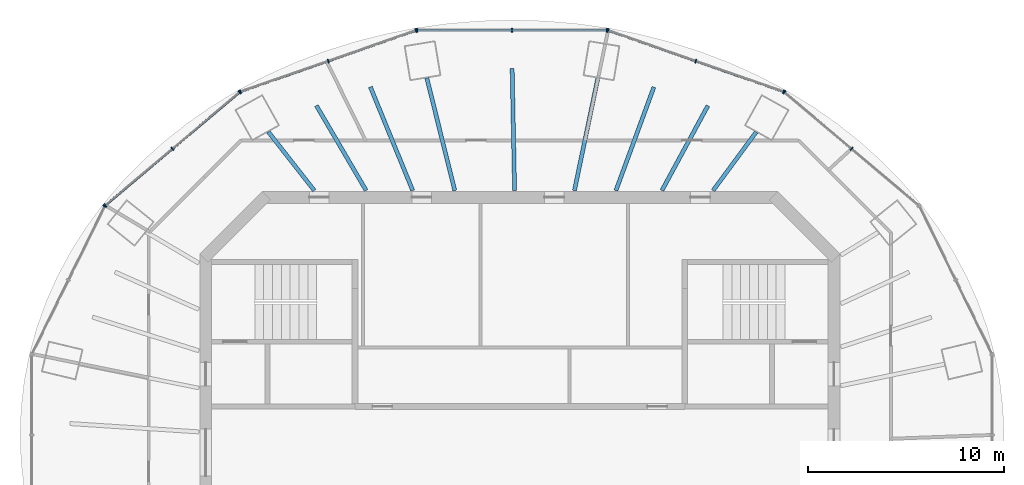
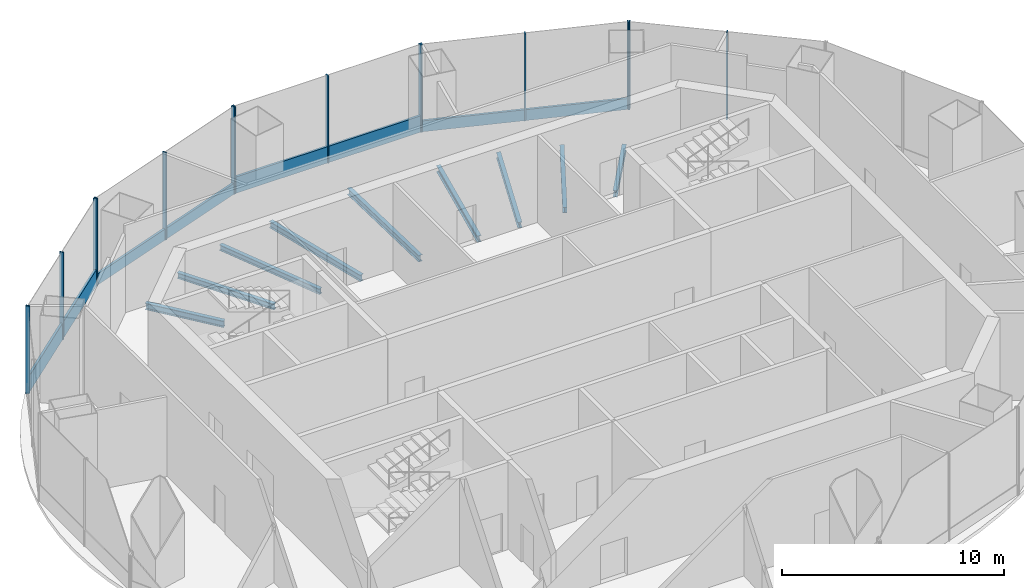
# One storey, part 5 of 12: 19 members, 9 beams, 6 elements without a shape of their own.
"""IFC4 building model written with IfcOpenShell, lengths in metres."""

from ifc_helpers import new_model, si_unit, direction, frame, origin, origin_2d, place, context, subcontext, project, spatial, rectangle, i_section, extrude, material, material_profile, profile_set, type_object, element, aggregate, save


model = new_model("IFC4")

# Units and contexts
model_context = context("Model", 3, precision=1e-05, world=origin(), true_north=direction((0.0, 1.0)))
body_context = subcontext(model_context, "Body", "Model", "MODEL_VIEW")
ifc_project = project(units=[si_unit("LENGTHUNIT", "METRE"), si_unit("AREAUNIT", "SQUARE_METRE"), si_unit("VOLUMEUNIT", "CUBIC_METRE"), si_unit("PLANEANGLEUNIT", "RADIAN"), si_unit("MASSUNIT", "GRAM", prefix="KILO")], contexts=[model_context])

# Site, building, storey
site_placement = place(None, origin())
site = spatial("IfcSite", under=ifc_project, at=site_placement, CompositionType="ELEMENT")
building_placement = place(site_placement, origin())
building = spatial("IfcBuilding", under=site, at=building_placement, Name="Marenthal Gate Tower", CompositionType="ELEMENT")
storey_placement = place(building_placement, frame((0.0, 0.0, 413.550048828125)))
storey = spatial("IfcBuildingStorey", under=building, at=storey_placement, Name="L93", CompositionType="ELEMENT", Elevation=413.550048828125)

# Curtain wall, members
ifc_material_1 = material(Name="Aluminium and glass", Category="aluminium")
curtain_wall_type_1 = type_object("IfcCurtainWallType", Name="Curtain wall crown clad", PredefinedType="NOTDEFINED", material=ifc_material_1)
curtain_wall_1_placement = place(storey_placement, origin())
curtain_wall_1 = element("IfcCurtainWall", 1, at=curtain_wall_1_placement, inside=storey, type_object=curtain_wall_type_1, Name="Curtain wall L93 bay 3", PredefinedType="NOTDEFINED")
ifc_material_2 = material(Name="Aluminium", Category="aluminium")
ifc_material_profile_1 = material_profile(ifc_material_2, rectangle(XDim=0.199951171875, YDim=0.06005859375, at=origin_2d()), Name="60x200 aluminium mullion")
ifc_profile_set_1 = profile_set([ifc_material_profile_1], Name="Aluminium")
member_type_1 = type_object("IfcMemberType", Name="Mullion 60x200 crown clad", PredefinedType="MULLION", material=ifc_profile_set_1)
member_1_placement = place(storey_placement, frame((13.426513671875, 18.38330078125, 0.0), z_axis=(0.0, 0.0, 1.0), x_axis=(-0.329558759622, -0.944135066585, 0.0)))
member_1 = element("IfcMember", 2, at=member_1_placement, type_object=member_type_1, Name="Mullion L93 bay 3.1", PredefinedType="MULLION", context=body_context, shape_type="SweptSolid", body=[
    extrude(rectangle(XDim=0.199951171875, YDim=0.06005859375, at=origin_2d()), origin(), (0.0, 0.0, 1.0), 4.800048828125),
])
member_2_placement = place(storey_placement, frame((8.9599609375, 19.9423828125, 0.0), z_axis=(0.0, 0.0, 1.0), x_axis=(-0.329558759622, -0.944135066585, 0.0)))
member_2 = element("IfcMember", 3, at=member_2_placement, type_object=member_type_1, Name="Mullion L93 bay 3.2", PredefinedType="MULLION", context=body_context, shape_type="SweptSolid", body=[
    extrude(rectangle(XDim=0.199951171875, YDim=0.06005859375, at=origin_2d()), origin(), (0.0, 0.0, 1.0), 4.800048828125),
])
member_3_placement = place(storey_placement, frame((4.49365234375, 21.501220703125, 0.0), z_axis=(0.0, 0.0, 1.0), x_axis=(-0.329558759622, -0.944135066585, 0.0)))
member_3 = element("IfcMember", 4, at=member_3_placement, type_object=member_type_1, Name="Mullion L93 bay 3.3", PredefinedType="MULLION", context=body_context, shape_type="SweptSolid", body=[
    extrude(rectangle(XDim=0.199951171875, YDim=0.06005859375, at=origin_2d()), origin(), (0.0, 0.0, 1.0), 4.800048828125),
])

curtain_wall_2_placement = place(storey_placement, origin())
curtain_wall_2 = element("IfcCurtainWall", 5, at=curtain_wall_2_placement, inside=storey, type_object=curtain_wall_type_1, Name="Curtain wall L93 bay 5", PredefinedType="NOTDEFINED")
member_4_placement = place(storey_placement, frame((-5.29345703125, 21.501220703125, 0.0), z_axis=(0.0, 0.0, 1.0), x_axis=(0.329558759622, -0.944135066585, 0.0)))
member_4 = element("IfcMember", 6, at=member_4_placement, type_object=member_type_1, Name="Mullion L93 bay 5.1", PredefinedType="MULLION", context=body_context, shape_type="SweptSolid", body=[
    extrude(rectangle(XDim=0.199951171875, YDim=0.06005859375, at=origin_2d()), origin(), (0.0, 0.0, 1.0), 4.800048828125),
])
member_5_placement = place(storey_placement, frame((-9.760009765625, 19.942138671875, 0.0), z_axis=(0.0, 0.0, 1.0), x_axis=(0.329558759622, -0.944135066585, 0.0)))
member_5 = element("IfcMember", 7, at=member_5_placement, type_object=member_type_1, Name="Mullion L93 bay 5.2", PredefinedType="MULLION", context=body_context, shape_type="SweptSolid", body=[
    extrude(rectangle(XDim=0.199951171875, YDim=0.06005859375, at=origin_2d()), origin(), (0.0, 0.0, 1.0), 4.800048828125),
])
member_6_placement = place(storey_placement, frame((-14.2265625, 18.38330078125, 0.0), z_axis=(0.0, 0.0, 1.0), x_axis=(0.329558759622, -0.944135066585, 0.0)))
member_6 = element("IfcMember", 8, at=member_6_placement, type_object=member_type_1, Name="Mullion L93 bay 5.3", PredefinedType="MULLION", context=body_context, shape_type="SweptSolid", body=[
    extrude(rectangle(XDim=0.199951171875, YDim=0.06005859375, at=origin_2d()), origin(), (0.0, 0.0, 1.0), 4.800048828125),
])

# Curtain wall, member
curtain_wall_3_placement = place(storey_placement, origin())
curtain_wall_3 = element("IfcCurtainWall", 9, at=curtain_wall_3_placement, inside=storey, type_object=curtain_wall_type_1, Name="Curtain wall L93 bay 7", PredefinedType="NOTDEFINED")
member_7_placement = place(storey_placement, frame((-21.1484375, 12.54833984375, 0.0), z_axis=(0.0, 0.0, 1.0), x_axis=(0.897446389763, -0.441123539953, 0.0)))
member_7 = element("IfcMember", 10, at=member_7_placement, type_object=member_type_1, Name="Mullion L93 bay 7.1", PredefinedType="MULLION", context=body_context, shape_type="SweptSolid", body=[
    extrude(rectangle(XDim=0.199951171875, YDim=0.06005859375, at=origin_2d()), origin(), (0.0, 0.0, 1.0), 4.800048828125),
])
aggregate(curtain_wall_3, [member_7])

# Curtain wall, members
ifc_material_3 = material(Name="Aluminium and glass", Category="aluminium")
curtain_wall_type_2 = type_object("IfcCurtainWallType", Name="Curtain wall typical high", PredefinedType="NOTDEFINED", material=ifc_material_3)
curtain_wall_4_placement = place(storey_placement, origin())
curtain_wall_4 = element("IfcCurtainWall", 11, at=curtain_wall_4_placement, inside=storey, type_object=curtain_wall_type_2, Name="Curtain wall L93 bay 2", PredefinedType="NOTDEFINED")
ifc_material_4 = material(Name="Aluminium", Category="aluminium")
ifc_material_profile_2 = material_profile(ifc_material_4, rectangle(XDim=0.199951171875, YDim=0.06005859375, at=origin_2d()), Name="60x200 aluminium mullion")
ifc_profile_set_2 = profile_set([ifc_material_profile_2], Name="Aluminium")
member_type_2 = type_object("IfcMemberType", Name="Mullion 60x200 typical high", PredefinedType="MULLION", material=ifc_profile_set_2)
member_8_placement = place(storey_placement, frame((16.89501953125, 15.474365234375, 0.0), z_axis=(0.0, 0.0, 1.0), x_axis=(-0.644394449075, -0.764693267919, 0.0)))
member_8 = element("IfcMember", 12, at=member_8_placement, type_object=member_type_2, Name="Mullion L93 bay 2.2", PredefinedType="MULLION", context=body_context, shape_type="SweptSolid", body=[
    extrude(rectangle(XDim=0.199951171875, YDim=0.06005859375, at=origin_2d()), origin(), (0.0, 0.0, 1.0), 4.800048828125),
])
member_9_placement = place(storey_placement, frame((13.477783203125, 18.35400390625, 0.0), z_axis=(0.0, 0.0, 1.0), x_axis=(-0.644394449075, -0.764693267919, 0.0)))
member_9 = element("IfcMember", 13, at=member_9_placement, type_object=member_type_2, Name="Mullion L93 bay 2.3", PredefinedType="MULLION", context=body_context, shape_type="SweptSolid", body=[
    extrude(rectangle(XDim=0.199951171875, YDim=0.06005859375, at=origin_2d()), origin(), (0.0, 0.0, 1.0), 4.800048828125),
])
aggregate(curtain_wall_4, [member_8, member_9])

curtain_wall_5_placement = place(storey_placement, origin())
curtain_wall_5 = element("IfcCurtainWall", 14, at=curtain_wall_5_placement, inside=storey, type_object=curtain_wall_type_2, Name="Curtain wall L93 bay 4", PredefinedType="NOTDEFINED")
member_10_placement = place(storey_placement, frame((4.435302734375, 21.51123046875, 0.0), z_axis=(0.0, 0.0, 1.0), x_axis=(0.0, -1.0, 0.0)))
member_10 = element("IfcMember", 15, at=member_10_placement, type_object=member_type_2, Name="Mullion L93 bay 4.1", PredefinedType="MULLION", context=body_context, shape_type="SweptSolid", body=[
    extrude(rectangle(XDim=0.199951171875, YDim=0.06005859375, at=origin_2d()), origin(), (0.0, 0.0, 1.0), 4.800048828125),
])
member_11_placement = place(storey_placement, frame((-0.39990234375, 21.51123046875, 0.0), z_axis=(0.0, 0.0, 1.0), x_axis=(0.0, -1.0, 0.0)))
member_11 = element("IfcMember", 16, at=member_11_placement, type_object=member_type_2, Name="Mullion L93 bay 4.2", PredefinedType="MULLION", context=body_context, shape_type="SweptSolid", body=[
    extrude(rectangle(XDim=0.199951171875, YDim=0.06005859375, at=origin_2d()), origin(), (0.0, 0.0, 1.0), 4.800048828125),
])
member_12_placement = place(storey_placement, frame((-5.235107421875, 21.51123046875, 0.0), z_axis=(0.0, 0.0, 1.0), x_axis=(0.0, -1.0, 0.0)))
member_12 = element("IfcMember", 17, at=member_12_placement, type_object=member_type_2, Name="Mullion L93 bay 4.3", PredefinedType="MULLION", context=body_context, shape_type="SweptSolid", body=[
    extrude(rectangle(XDim=0.199951171875, YDim=0.06005859375, at=origin_2d()), origin(), (0.0, 0.0, 1.0), 4.800048828125),
])

curtain_wall_6_placement = place(storey_placement, origin())
curtain_wall_6 = element("IfcCurtainWall", 18, at=curtain_wall_6_placement, inside=storey, type_object=curtain_wall_type_2, Name="Curtain wall L93 bay 6", PredefinedType="NOTDEFINED")
member_13_placement = place(storey_placement, frame((-14.27783203125, 18.35400390625, 0.0), z_axis=(0.0, 0.0, 1.0), x_axis=(0.644394449075, -0.764693267919, 0.0)))
member_13 = element("IfcMember", 19, at=member_13_placement, type_object=member_type_2, Name="Mullion L93 bay 6.1", PredefinedType="MULLION", context=body_context, shape_type="SweptSolid", body=[
    extrude(rectangle(XDim=0.199951171875, YDim=0.06005859375, at=origin_2d()), origin(), (0.0, 0.0, 1.0), 4.800048828125),
])
member_14_placement = place(storey_placement, frame((-17.695068359375, 15.474365234375, 0.0), z_axis=(0.0, 0.0, 1.0), x_axis=(0.644394449075, -0.764693267919, 0.0)))
member_14 = element("IfcMember", 20, at=member_14_placement, type_object=member_type_2, Name="Mullion L93 bay 6.2", PredefinedType="MULLION", context=body_context, shape_type="SweptSolid", body=[
    extrude(rectangle(XDim=0.199951171875, YDim=0.06005859375, at=origin_2d()), origin(), (0.0, 0.0, 1.0), 4.800048828125),
])
member_15_placement = place(storey_placement, frame((-21.1123046875, 12.5947265625, 0.0), z_axis=(0.0, 0.0, 1.0), x_axis=(0.644394449075, -0.764693267919, 0.0)))
member_15 = element("IfcMember", 21, at=member_15_placement, type_object=member_type_2, Name="Mullion L93 bay 6.3", PredefinedType="MULLION", context=body_context, shape_type="SweptSolid", body=[
    extrude(rectangle(XDim=0.199951171875, YDim=0.06005859375, at=origin_2d()), origin(), (0.0, 0.0, 1.0), 4.800048828125),
])

# Member
ifc_material_5 = material(Name="Aluminium", Category="aluminium")
ifc_material_profile_3 = material_profile(ifc_material_5, rectangle(XDim=0.1201171875, YDim=0.60009765625, at=origin_2d()), Name="120x600 aluminium transom")
ifc_profile_set_3 = profile_set([ifc_material_profile_3], Name="Aluminium")
member_type_3 = type_object("IfcMemberType", Name="Transom 120x600 crown clad", PredefinedType="USERDEFINED", material=ifc_profile_set_3)
member_16_placement = place(storey_placement, frame((13.398193359375, 18.39306640625, 0.300048828125), z_axis=(-0.944132924415, 0.329564896547, 0.0), x_axis=(-0.329564896547, -0.944132924415, 0.0)))
member_16 = element("IfcMember", 22, at=member_16_placement, type_object=member_type_3, Name="Transom L93 bay 3", ObjectType="TRANSOM", PredefinedType="USERDEFINED", context=body_context, shape_type="SweptSolid", body=[
    extrude(rectangle(XDim=0.1201171875, YDim=0.60009765625, at=origin_2d()), origin(), (0.0, 0.0, 1.0), 9.4013671875),
])

aggregate(curtain_wall_1, [member_1, member_2, member_3, member_16])

member_17_placement = place(storey_placement, frame((-5.32177734375, 21.491455078125, 0.300048828125), z_axis=(-0.944135744817, -0.329556816587, 0.0), x_axis=(0.329556816587, -0.944135744817, 0.0)))
member_17 = element("IfcMember", 23, at=member_17_placement, type_object=member_type_3, Name="Transom L93 bay 5", ObjectType="TRANSOM", PredefinedType="USERDEFINED", context=body_context, shape_type="SweptSolid", body=[
    extrude(rectangle(XDim=0.1201171875, YDim=0.60009765625, at=origin_2d()), origin(), (0.0, 0.0, 1.0), 9.401611328125),
])

aggregate(curtain_wall_2, [member_4, member_5, member_6, member_17])

ifc_material_6 = material(Name="Aluminium", Category="aluminium")
ifc_material_profile_4 = material_profile(ifc_material_6, rectangle(XDim=0.1201171875, YDim=0.89990234375, at=origin_2d()), Name="120x900 aluminium transom")
ifc_profile_set_4 = profile_set([ifc_material_profile_4], Name="Aluminium")
member_type_4 = type_object("IfcMemberType", Name="Transom 120x900 typical high", PredefinedType="USERDEFINED", material=ifc_profile_set_4)
member_18_placement = place(storey_placement, frame((4.4052734375, 21.51123046875, 0.449951171875), z_axis=(-1.0, 0.0, 0.0), x_axis=(0.0, -1.0, 0.0)))
member_18 = element("IfcMember", 24, at=member_18_placement, type_object=member_type_4, Name="Transom L93 bay 4", ObjectType="TRANSOM", PredefinedType="USERDEFINED", context=body_context, shape_type="SweptSolid", body=[
    extrude(rectangle(XDim=0.1201171875, YDim=0.89990234375, at=origin_2d()), origin(), (0.0, 0.0, 1.0), 9.6103515625),
])

aggregate(curtain_wall_5, [member_10, member_11, member_12, member_18])

member_19_placement = place(storey_placement, frame((-14.30078125, 18.334716796875, 0.449951171875), z_axis=(-0.764688649653, -0.644399929463, 0.0), x_axis=(0.644399929463, -0.764688649653, 0.0)))
member_19 = element("IfcMember", 25, at=member_19_placement, type_object=member_type_4, Name="Transom L93 bay 6", ObjectType="TRANSOM", PredefinedType="USERDEFINED", context=body_context, shape_type="SweptSolid", body=[
    extrude(rectangle(XDim=0.1201171875, YDim=0.89990234375, at=origin_2d()), origin(), (0.0, 0.0, 1.0), 8.877685546875),
])

aggregate(curtain_wall_6, [member_13, member_14, member_15, member_19])

# Beams
ifc_material_7 = material(Name="Steel S355", Category="steel")
ifc_material_profile_5 = material_profile(ifc_material_7, i_section(OverallWidth=0.205078125, OverallDepth=0.31005859375, WebThickness=0.009521484375, FlangeThickness=0.016357421875, FilletRadius=0.0126953125, at=origin_2d()), Name="W310X74")
ifc_profile_set_5 = profile_set([ifc_material_profile_5], Name="Steel S355")
beam_type_1 = type_object("IfcBeamType", Name="W310X74 beam", PredefinedType="BEAM", material=ifc_profile_set_5)
beam_1_placement = place(storey_placement, frame((9.5771484375, 17.67041015625, -0.35498046875), z_axis=(-0.476500801464, -0.879174036357, 0.0), x_axis=(0.879174036357, -0.476500801464, 0.0)))
element("IfcBeam", 26, at=beam_1_placement, inside=storey, type_object=beam_type_1, Name="BM-L93-19", PredefinedType="BEAM", context=body_context, shape_type="SweptSolid", body=[
    extrude(i_section(OverallWidth=0.205078125, OverallDepth=0.31005859375, WebThickness=0.009521484375, FlangeThickness=0.016357421875, FilletRadius=0.0126953125, at=origin_2d()), origin(), (0.0, 0.0, 1.0), 4.9140625),
])
beam_2_placement = place(storey_placement, frame((6.825927734375, 18.61865234375, -0.35498046875), z_axis=(-0.344229081618, -0.938885690257, 0.0), x_axis=(0.938885690257, -0.344229081618, 0.0)))
element("IfcBeam", 27, at=beam_2_placement, inside=storey, type_object=beam_type_1, Name="BM-L93-20", PredefinedType="BEAM", context=body_context, shape_type="SweptSolid", body=[
    extrude(i_section(OverallWidth=0.205078125, OverallDepth=0.31005859375, WebThickness=0.009521484375, FlangeThickness=0.016357421875, FilletRadius=0.0126953125, at=origin_2d()), origin(), (0.0, 0.0, 1.0), 5.611572265625),
])
beam_3_placement = place(storey_placement, frame((-7.612060546875, 18.623291015625, -0.35498046875), z_axis=(0.378377514471, -0.92565136879, 0.0), x_axis=(0.92565136879, 0.378377514471, 0.0)))
element("IfcBeam", 28, at=beam_3_placement, inside=storey, type_object=beam_type_1, Name="BM-L93-22", PredefinedType="BEAM", context=body_context, shape_type="SweptSolid", body=[
    extrude(i_section(OverallWidth=0.205078125, OverallDepth=0.31005859375, WebThickness=0.009521484375, FlangeThickness=0.016357421875, FilletRadius=0.0126953125, at=origin_2d()), origin(), (0.0, 0.0, 1.0), 5.69677734375),
])
beam_4_placement = place(storey_placement, frame((-10.364013671875, 17.675048828125, -0.35498046875), z_axis=(0.505840714399, -0.862626901769, 0.0), x_axis=(0.862626901769, 0.505840714399, 0.0)))
element("IfcBeam", 29, at=beam_4_placement, inside=storey, type_object=beam_type_1, Name="BM-L93-23", PredefinedType="BEAM", context=body_context, shape_type="SweptSolid", body=[
    extrude(i_section(OverallWidth=0.205078125, OverallDepth=0.31005859375, WebThickness=0.009521484375, FlangeThickness=0.016357421875, FilletRadius=0.0126953125, at=origin_2d()), origin(), (0.0, 0.0, 1.0), 5.013671875),
])
ifc_material_8 = material(Name="Steel S355", Category="steel")
ifc_material_profile_6 = material_profile(ifc_material_8, i_section(OverallWidth=0.205078125, OverallDepth=0.35302734375, WebThickness=0.009521484375, FlangeThickness=0.016845703125, FilletRadius=0.014892578125, at=origin_2d()), Name="W360X79")
ifc_profile_set_6 = profile_set([ifc_material_profile_6], Name="Steel S355")
beam_type_2 = type_object("IfcBeamType", Name="W360X79 beam", PredefinedType="BEAM", material=ifc_profile_set_6)
beam_5_placement = place(storey_placement, frame((12.03857421875, 16.3291015625, -0.37646484375), z_axis=(-0.593457762165, -0.804865134371, 0.0), x_axis=(0.804865134371, -0.593457762165, 0.0)))
element("IfcBeam", 30, at=beam_5_placement, inside=storey, type_object=beam_type_2, Name="BM-L93-03", PredefinedType="BEAM", context=body_context, shape_type="SweptSolid", body=[
    extrude(i_section(OverallWidth=0.205078125, OverallDepth=0.35302734375, WebThickness=0.009521484375, FlangeThickness=0.016845703125, FilletRadius=0.014892578125, at=origin_2d()), origin(), (0.0, 0.0, 1.0), 3.701171875),
])
beam_6_placement = place(storey_placement, frame((3.973388671875, 19.079833984375, -0.37646484375), z_axis=(-0.203899282591, -0.978991870527, 0.0), x_axis=(0.978991870527, -0.203899282591, 0.0)))
element("IfcBeam", 31, at=beam_6_placement, inside=storey, type_object=beam_type_2, Name="BM-L93-04", PredefinedType="BEAM", context=body_context, shape_type="SweptSolid", body=[
    extrude(i_section(OverallWidth=0.205078125, OverallDepth=0.35302734375, WebThickness=0.009521484375, FlangeThickness=0.016845703125, FilletRadius=0.014892578125, at=origin_2d()), origin(), (0.0, 0.0, 1.0), 5.852783203125),
])
beam_7_placement = place(storey_placement, frame((-4.7392578125, 19.08544921875, -0.37646484375), z_axis=(0.240979992258, -0.970530083682, 0.0), x_axis=(0.970530083682, 0.240979992258, 0.0)))
element("IfcBeam", 32, at=beam_7_placement, inside=storey, type_object=beam_type_2, Name="BM-L93-05", PredefinedType="BEAM", context=body_context, shape_type="SweptSolid", body=[
    extrude(i_section(OverallWidth=0.205078125, OverallDepth=0.35302734375, WebThickness=0.009521484375, FlangeThickness=0.016845703125, FilletRadius=0.014892578125, at=origin_2d()), origin(), (0.0, 0.0, 1.0), 5.909423828125),
])
beam_8_placement = place(storey_placement, frame((-12.814697265625, 16.342529296875, -0.37646484375), z_axis=(0.617047180823, -0.786926157043, 0.0), x_axis=(0.786926157043, 0.617047180823, 0.0)))
element("IfcBeam", 33, at=beam_8_placement, inside=storey, type_object=beam_type_2, Name="BM-L93-06", PredefinedType="BEAM", context=body_context, shape_type="SweptSolid", body=[
    extrude(i_section(OverallWidth=0.205078125, OverallDepth=0.35302734375, WebThickness=0.009521484375, FlangeThickness=0.016845703125, FilletRadius=0.014892578125, at=origin_2d()), origin(), (0.0, 0.0, 1.0), 3.802734375),
])
beam_9_placement = place(storey_placement, frame((-0.39208984375, 19.5615234375, -0.37646484375), z_axis=(0.020041567694, -0.999799147611, 0.0), x_axis=(0.999799147611, 0.020041567694, 0.0)))
element("IfcBeam", 34, at=beam_9_placement, inside=storey, type_object=beam_type_2, Name="BM-L93-21", PredefinedType="BEAM", context=body_context, shape_type="SweptSolid", body=[
    extrude(i_section(OverallWidth=0.205078125, OverallDepth=0.35302734375, WebThickness=0.009521484375, FlangeThickness=0.016845703125, FilletRadius=0.014892578125, at=origin_2d()), origin(), (0.0, 0.0, 1.0), 6.212646484375),
])

save(model, "model.ifc")
